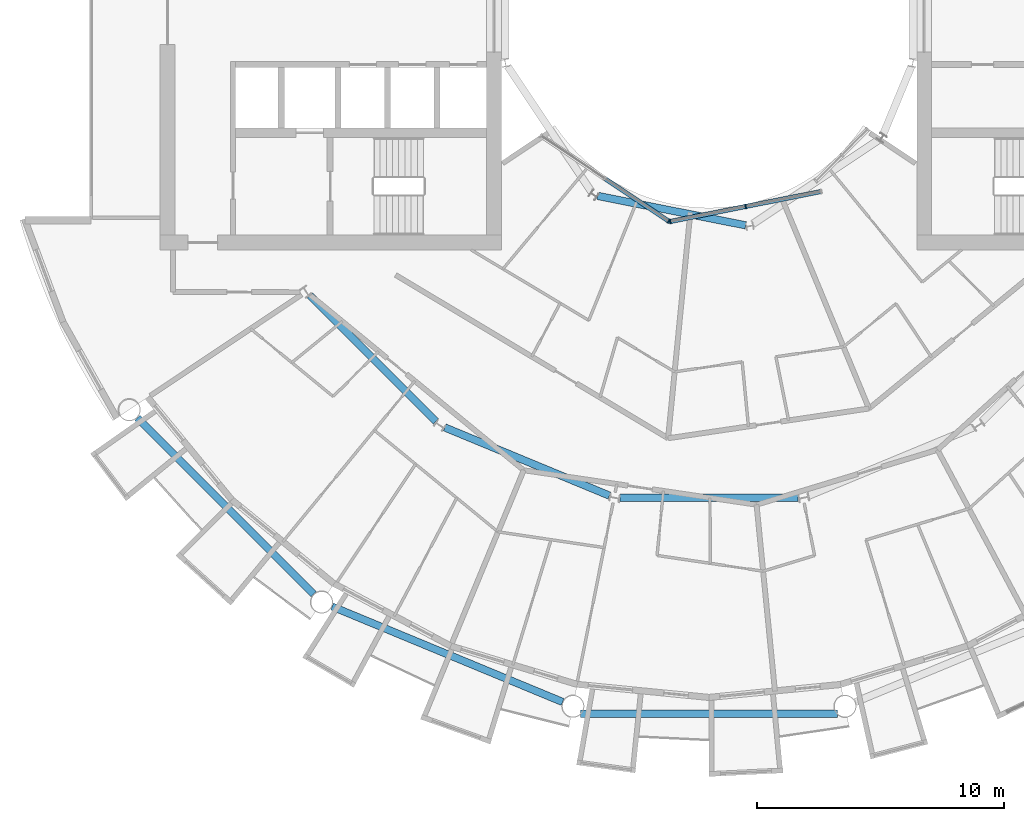
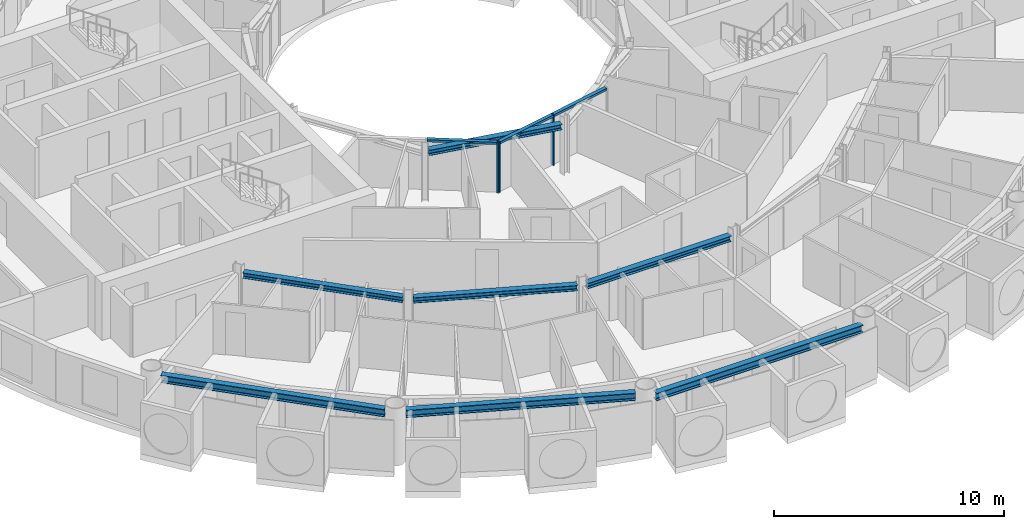
# One storey, part 5 of 28: 7 beams, 6 members, 2 elements without a shape of their own.
"""IFC4 building model written with IfcOpenShell, lengths in metres."""

from ifc_helpers import new_model, si_unit, direction, frame, origin, origin_2d, place, context, subcontext, project, spatial, rectangle, i_section, extrude, material, layer, layer_set, material_profile, profile_set, type_object, element, aggregate, save


model = new_model("IFC4")

# Units and contexts
model_context = context("Model", 3, precision=1e-05, world=origin(), true_north=direction((0.0, 1.0)))
body_context = subcontext(model_context, "Body", "Model", "MODEL_VIEW")
ifc_project = project(units=[si_unit("LENGTHUNIT", "METRE"), si_unit("AREAUNIT", "SQUARE_METRE"), si_unit("VOLUMEUNIT", "CUBIC_METRE"), si_unit("PLANEANGLEUNIT", "RADIAN"), si_unit("MASSUNIT", "GRAM", prefix="KILO")], contexts=[model_context])

# Site, building, storey
site_placement = place(None, origin())
site = spatial("IfcSite", under=ifc_project, at=site_placement, CompositionType="ELEMENT")
building_placement = place(site_placement, origin())
building = spatial("IfcBuilding", under=site, at=building_placement, Name="Maasbend Ring Residences", CompositionType="ELEMENT")
storey_placement = place(building_placement, frame((0.0, 0.0, 129.949951171875)))
storey = spatial("IfcBuildingStorey", under=building, at=storey_placement, Name="L37", CompositionType="ELEMENT", Elevation=129.949951171875)

# Curtain wall, member
ifc_material_1 = material(Name="Aluminium and clear glass", Category="aluminium")
ifc_layer = layer(ifc_material_1, 0.179931640625)
ifc_layer_set = layer_set([ifc_layer], Name="CW-W")
curtain_wall_type = type_object("IfcCurtainWallType", Name="CW-W", PredefinedType="NOTDEFINED", material=ifc_layer_set)
curtain_wall_1_placement = place(storey_placement, origin())
curtain_wall_1 = element("IfcCurtainWall", 1, at=curtain_wall_1_placement, inside=storey, type_object=curtain_wall_type, Name="Well curtain wall S1", PredefinedType="NOTDEFINED")
ifc_material_2 = material(Name="Aluminium 6063-T6", Category="aluminium")
ifc_material_profile_1 = material_profile(ifc_material_2, rectangle(XDim=0.179931640625, YDim=0.06005859375, at=origin_2d()), Name="AL 180x60")
ifc_profile_set_1 = profile_set([ifc_material_profile_1], Name="Aluminium 6063-T6")
member_type_1 = type_object("IfcMemberType", Name="CWM-W", PredefinedType="MULLION", material=ifc_profile_set_1)
member_1_placement = place(storey_placement, frame((-1.627685546875, -8.040771484375, 0.0), z_axis=(0.0, 0.0, 1.0), x_axis=(0.55557023302, 0.831469612303, 0.0)))
member_1 = element("IfcMember", 2, at=member_1_placement, type_object=member_type_1, Name="Mullion well face", PredefinedType="MULLION", context=body_context, shape_type="SweptSolid", body=[
    extrude(rectangle(XDim=0.179931640625, YDim=0.06005859375, at=origin_2d()), origin(), (0.0, 0.0, 1.0), 2.699951171875),
])

# Curtain wall, members
curtain_wall_2_placement = place(storey_placement, origin())
curtain_wall_2 = element("IfcCurtainWall", 3, at=curtain_wall_2_placement, inside=storey, type_object=curtain_wall_type, Name="Well curtain wall S2", PredefinedType="NOTDEFINED")
member_2_placement = place(storey_placement, frame((-1.5732421875, -8.0517578125, 0.0), z_axis=(0.0, 0.0, 1.0), x_axis=(-0.195090322016, 0.980785280403, 0.0)))
member_2 = element("IfcMember", 4, at=member_2_placement, type_object=member_type_1, Name="Mullion well face", PredefinedType="MULLION", context=body_context, shape_type="SweptSolid", body=[
    extrude(rectangle(XDim=0.179931640625, YDim=0.06005859375, at=origin_2d()), origin(), (0.0, 0.0, 1.0), 2.699951171875),
])
member_3_placement = place(storey_placement, frame((1.480712890625, -7.444091796875, 0.0), z_axis=(0.0, 0.0, 1.0), x_axis=(-0.195090322016, 0.980785280403, 0.0)))
member_3 = element("IfcMember", 5, at=member_3_placement, type_object=member_type_1, Name="Mullion well face", PredefinedType="MULLION", context=body_context, shape_type="SweptSolid", body=[
    extrude(rectangle(XDim=0.179931640625, YDim=0.06005859375, at=origin_2d()), origin(), (0.0, 0.0, 1.0), 2.699951171875),
])

# Member
ifc_material_3 = material(Name="Aluminium 6063-T6", Category="aluminium")
ifc_material_profile_2 = material_profile(ifc_material_3, rectangle(XDim=0.179931640625, YDim=0.1201171875, at=origin_2d()), Name="AL 180x120")
ifc_profile_set_2 = profile_set([ifc_material_profile_2], Name="Aluminium 6063-T6")
member_type_2 = type_object("IfcMemberType", Name="CWT-W", PredefinedType="USERDEFINED", material=ifc_profile_set_2)
member_4_placement = place(storey_placement, frame((-4.19189453125, -6.32763671875, 2.64013671875), z_axis=(0.831496422459, -0.555530106689, 0.0), x_axis=(0.555530106689, 0.831496422459, 0.0)))
member_4 = element("IfcMember", 6, at=member_4_placement, type_object=member_type_2, Name="Transom well face", ObjectType="TRANSOM", PredefinedType="USERDEFINED", context=body_context, shape_type="SweptSolid", body=[
    extrude(rectangle(XDim=0.179931640625, YDim=0.1201171875, at=origin_2d()), origin(), (0.0, 0.0, 1.0), 3.053955078125),
])

aggregate(curtain_wall_1, [member_1, member_4])

member_5_placement = place(storey_placement, frame((-1.5439453125, -8.0458984375, 2.64013671875), z_axis=(0.980776956105, 0.195132166424, 0.0), x_axis=(-0.195132166424, 0.980776956105, 0.0)))
member_5 = element("IfcMember", 7, at=member_5_placement, type_object=member_type_2, Name="Transom well face", ObjectType="TRANSOM", PredefinedType="USERDEFINED", context=body_context, shape_type="SweptSolid", body=[
    extrude(rectangle(XDim=0.179931640625, YDim=0.1201171875, at=origin_2d()), origin(), (0.0, 0.0, 1.0), 3.053955078125),
])

member_6_placement = place(storey_placement, frame((1.51025390625, -7.438232421875, 2.64013671875), z_axis=(0.980789210404, 0.19507056353, 0.0), x_axis=(-0.19507056353, 0.980789210404, 0.0)))
member_6 = element("IfcMember", 8, at=member_6_placement, type_object=member_type_2, Name="Transom well face", ObjectType="TRANSOM", PredefinedType="USERDEFINED", context=body_context, shape_type="SweptSolid", body=[
    extrude(rectangle(XDim=0.179931640625, YDim=0.1201171875, at=origin_2d()), origin(), (0.0, 0.0, 1.0), 3.0537109375),
])

aggregate(curtain_wall_2, [member_2, member_3, member_5, member_6])

# Beams
ifc_material_4 = material(Name="Steel S355J2", Category="steel")
ifc_material_profile_3 = material_profile(ifc_material_4, i_section(OverallWidth=0.300048828125, OverallDepth=0.2900390625, WebThickness=0.008544921875, FlangeThickness=0.013916015625, FilletRadius=0.027099609375, at=origin_2d()), Name="HEA 300")
ifc_profile_set_3 = profile_set([ifc_material_profile_3], Name="Steel S355J2")
beam_type_1 = type_object("IfcBeamType", Name="Corridor ring beam HEA 300", PredefinedType="BEAM", material=ifc_profile_set_3)
for number, where, z_axis, x_axis, name in (
    (9, (-16.14111328125, -11.044921875, 2.554931640625), (0.707106781187, -0.707106781187, 0.0), (0.707106781187, 0.707106781187, 0.0), "Corridor ring beam"),
    (10, (-10.685791015625, -16.381103515625, 2.554931640625), (0.923877693919, -0.382687871089, 0.0), (0.382687871089, 0.923877693919, 0.0), "Corridor ring beam"),
    (11, (-3.603515625, -19.223388671875, 2.554931640625), (1.0, 0.0, 0.0), (0.0, 1.0, 0.0), "Corridor ring beam"),
):
    element("IfcBeam", number, at=place(storey_placement, frame(where, z_axis=z_axis, x_axis=x_axis)), inside=storey, type_object=beam_type_1, Name=name, PredefinedType="BEAM", context=body_context, shape_type="SweptSolid", body=[
        extrude(i_section(OverallWidth=0.300048828125, OverallDepth=0.2900390625, WebThickness=0.008544921875, FlangeThickness=0.013916015625, FilletRadius=0.027099609375, at=origin_2d()), origin(), (0.0, 0.0, 1.0), 7.20703125),
    ])
ifc_material_5 = material(Name="Steel S355J2", Category="steel")
ifc_material_profile_4 = material_profile(ifc_material_5, i_section(OverallWidth=0.300048828125, OverallDepth=0.39990234375, WebThickness=0.013427734375, FlangeThickness=0.02392578125, FilletRadius=0.027099609375, at=origin_2d()), Name="HEB 400")
ifc_profile_set_4 = profile_set([ifc_material_profile_4], Name="Steel S355J2")
beam_type_2 = type_object("IfcBeamType", Name="Spandrel ring beam HEB 400", PredefinedType="SPANDREL", material=ifc_profile_set_4)
for number, where, z_axis, x_axis, name in (
    (12, (-23.124267578125, -15.990234375, 2.5), (0.707106781187, -0.707106781187, 0.0), (0.707106781187, 0.707106781187, 0.0), "Spandrel ring beam"),
    (13, (-15.244873046875, -23.622314453125, 2.5), (0.92388529709, -0.382669515144, 0.0), (0.382669515144, 0.92388529709, 0.0), "Spandrel ring beam"),
):
    element("IfcBeam", number, at=place(storey_placement, frame(where, z_axis=z_axis, x_axis=x_axis)), inside=storey, type_object=beam_type_2, Name=name, PredefinedType="SPANDREL", context=body_context, shape_type="SweptSolid", body=[
        extrude(i_section(OverallWidth=0.300048828125, OverallDepth=0.39990234375, WebThickness=0.013427734375, FlangeThickness=0.02392578125, FilletRadius=0.027099609375, at=origin_2d()), origin(), (0.0, 0.0, 1.0), 10.089111328125),
    ])
beam_1_placement = place(storey_placement, frame((-5.194580078125, -27.9580078125, 2.5), z_axis=(1.0, 0.0, 0.0), x_axis=(0.0, 1.0, 0.0)))
element("IfcBeam", 14, at=beam_1_placement, inside=storey, type_object=beam_type_2, Name="Spandrel ring beam", PredefinedType="SPANDREL", context=body_context, shape_type="SweptSolid", body=[
    extrude(i_section(OverallWidth=0.300048828125, OverallDepth=0.39990234375, WebThickness=0.013427734375, FlangeThickness=0.02392578125, FilletRadius=0.027099609375, at=origin_2d()), origin(), (0.0, 0.0, 1.0), 10.38916015625),
])
ifc_material_6 = material(Name="Steel S355J2", Category="steel")
ifc_material_profile_5 = material_profile(ifc_material_6, i_section(OverallWidth=0.300048828125, OverallDepth=0.2900390625, WebThickness=0.008544921875, FlangeThickness=0.013916015625, FilletRadius=0.027099609375, at=origin_2d()), Name="HEA 300")
ifc_profile_set_5 = profile_set([ifc_material_profile_5], Name="Steel S355J2")
beam_type_3 = type_object("IfcBeamType", Name="Well edge beam HEA 300", PredefinedType="BEAM", material=ifc_profile_set_5)
beam_2_placement = place(storey_placement, frame((-4.507568359375, -7.01611328125, 2.554931640625), z_axis=(0.980792381321, -0.195054619896, 0.0), x_axis=(0.195054619896, 0.980792381321, 0.0)))
element("IfcBeam", 15, at=beam_2_placement, inside=storey, type_object=beam_type_3, Name="Well edge beam", PredefinedType="BEAM", context=body_context, shape_type="SweptSolid", body=[
    extrude(i_section(OverallWidth=0.300048828125, OverallDepth=0.2900390625, WebThickness=0.008544921875, FlangeThickness=0.013916015625, FilletRadius=0.027099609375, at=origin_2d()), origin(), (0.0, 0.0, 1.0), 6.104248046875),
])

save(model, "model.ifc")
